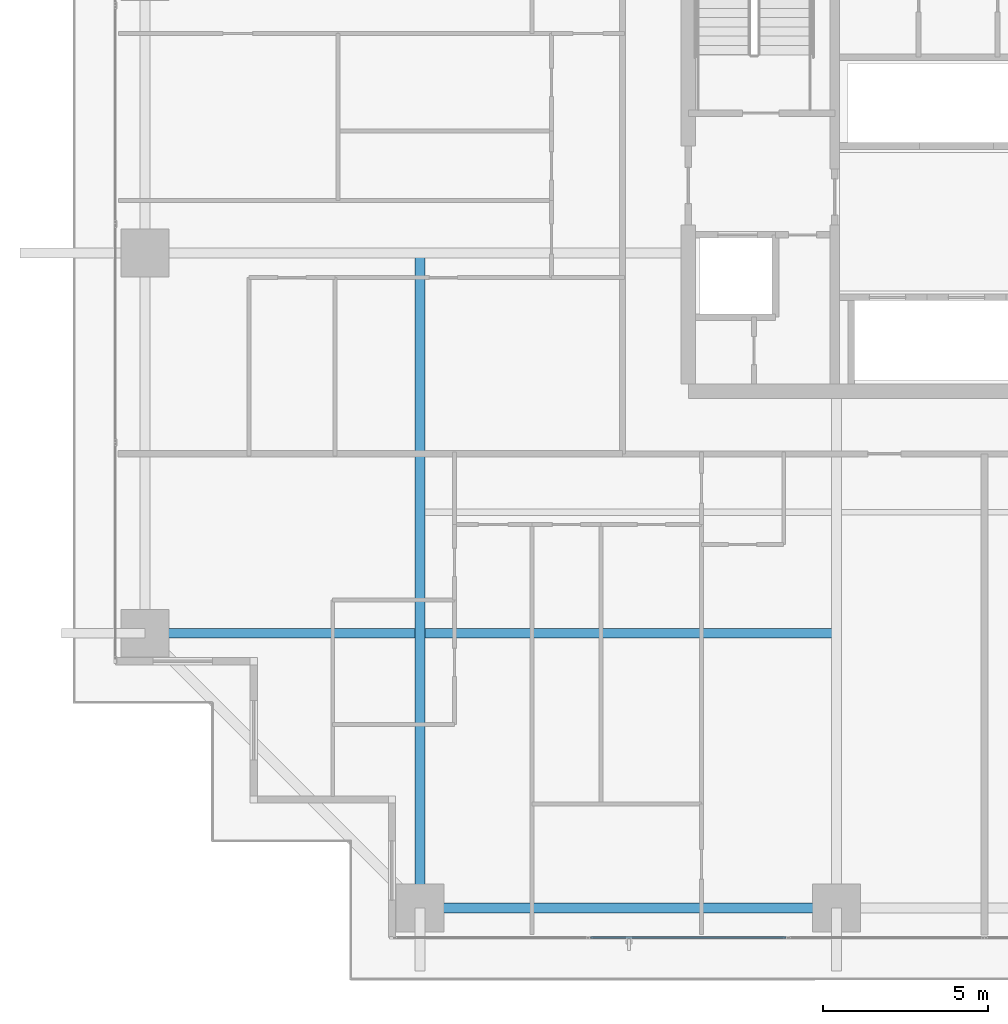
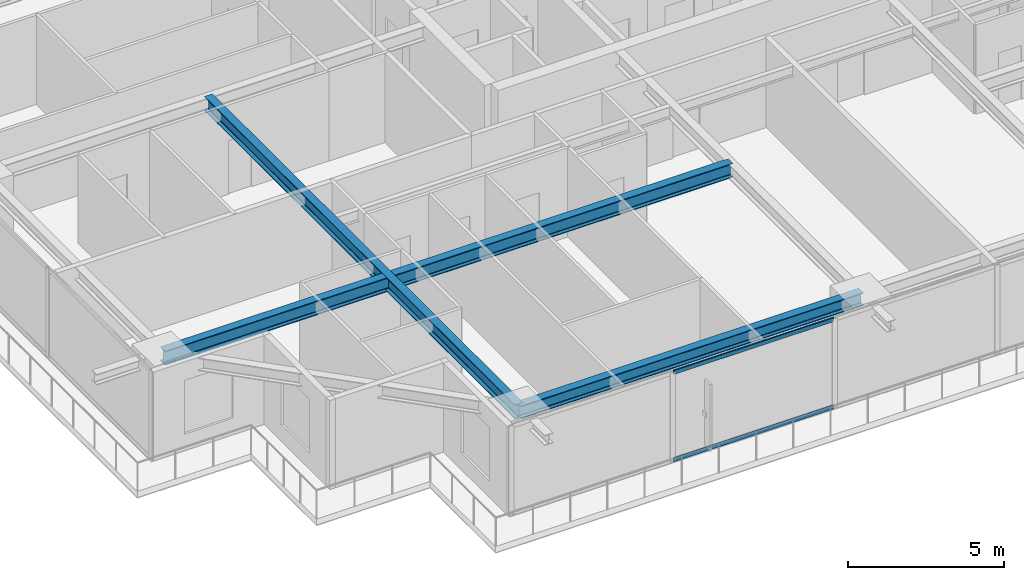
# One storey, part 4 of 39: 3 beams, 2 members, 1 element without a shape of its own.
"""IFC4 building model written with IfcOpenShell, lengths in metres."""

from ifc_helpers import new_model, si_unit, direction, frame, origin, origin_2d, place, context, subcontext, project, spatial, hollow_rectangle, i_section, extrude, source, transform, mapped, material, layer, layer_set, material_profile, profile_set, type_object, element, aggregate, save


model = new_model("IFC4")

# Units and contexts
model_context = context("Model", 3, precision=1e-05, world=origin(), true_north=direction((0.0, 1.0)))
body_context = subcontext(model_context, "Body", "Model", "MODEL_VIEW")
ifc_project = project(units=[si_unit("LENGTHUNIT", "METRE"), si_unit("AREAUNIT", "SQUARE_METRE"), si_unit("VOLUMEUNIT", "CUBIC_METRE"), si_unit("PLANEANGLEUNIT", "RADIAN"), si_unit("MASSUNIT", "GRAM", prefix="KILO")], contexts=[model_context])

# Site, building, storey
site_placement = place(None, origin())
site = spatial("IfcSite", under=ifc_project, at=site_placement, CompositionType="ELEMENT")
building_placement = place(site_placement, origin())
building = spatial("IfcBuilding", under=site, at=building_placement, Name="Serunith Strait Residences", CompositionType="ELEMENT")
storey_placement = place(building_placement, frame((0.0, 0.0, 97.949951171875)))
storey = spatial("IfcBuildingStorey", under=building, at=storey_placement, Name="L24", CompositionType="ELEMENT", Elevation=97.949951171875)

# Beams
ifc_material_1 = material(Name="Steel S355J2", Category="steel")
ifc_material_profile_1 = material_profile(ifc_material_1, i_section(OverallWidth=0.300048828125, OverallDepth=0.550048828125, WebThickness=0.014892578125, FlangeThickness=0.029052734375, FilletRadius=0.027099609375, at=origin_2d()), Name="HEB 550")
ifc_profile_set_1 = profile_set([ifc_material_profile_1], Name="Steel S355J2")
beam_type_1 = type_object("IfcBeamType", Name="BM-HEB550", PredefinedType="BEAM", material=ifc_profile_set_1)
shared_shape_1 = source(origin(), body_context, "Body", "SweptSolid", [
    extrude(i_section(OverallWidth=0.300048828125, OverallDepth=0.550048828125, WebThickness=0.014892578125, FlangeThickness=0.029052734375, FilletRadius=0.027099609375, at=origin_2d()), origin(), (0.0, 0.0, 1.0), 19.89990234375),
])
beam_1_placement = place(storey_placement, frame((15.25, 21.0, 3.212158203125), z_axis=(0.0, -1.0, 0.0), x_axis=(1.0, 0.0, 0.0)))
element("IfcBeam", 1, at=beam_1_placement, inside=storey, type_object=beam_type_1, Name="L24 Orthogonal Corner Girder TC-S1", PredefinedType="BEAM", context=body_context, shape_type="MappedRepresentation", body=[
    mapped(shared_shape_1, transform((0.0, 0.0, 0.0), scale=1.0)),
])
shared_shape_2 = source(origin(), body_context, "Body", "SweptSolid", [
    extrude(i_section(OverallWidth=0.300048828125, OverallDepth=0.550048828125, WebThickness=0.014892578125, FlangeThickness=0.029052734375, FilletRadius=0.027099609375, at=origin_2d()), origin(), (0.0, 0.0, 1.0), 21.0),
])
beam_2_placement = place(storey_placement, frame((27.89990234375, 9.449951171875, 3.212158203125), z_axis=(-1.0, 0.0, 0.0), x_axis=(0.0, -1.0, 0.0)))
element("IfcBeam", 2, at=beam_2_placement, inside=storey, type_object=beam_type_1, Name="L24 Orthogonal Corner Girder TC-W1", PredefinedType="BEAM", context=body_context, shape_type="MappedRepresentation", body=[
    mapped(shared_shape_2, transform((0.0, 0.0, 0.0), scale=1.0)),
])
ifc_material_profile_2 = material_profile(ifc_material_1, i_section(OverallWidth=0.300048828125, OverallDepth=0.5, WebThickness=0.014404296875, FlangeThickness=0.028076171875, FilletRadius=0.027099609375, at=origin_2d()), Name="HEB 500")
ifc_profile_set_2 = profile_set([ifc_material_profile_2], Name="Steel S355J2")
beam_type_2 = type_object("IfcBeamType", Name="BM-HEB500", PredefinedType="BEAM", material=ifc_profile_set_2)
shared_shape_3 = source(origin(), body_context, "Body", "SweptSolid", [
    extrude(i_section(OverallWidth=0.300048828125, OverallDepth=0.5, WebThickness=0.014404296875, FlangeThickness=0.028076171875, FilletRadius=0.027099609375, at=origin_2d()), origin(), (0.0, 0.0, 1.0), 12.64990234375),
])
beam_3_placement = place(storey_placement, frame((15.25, 1.10009765625, 3.237060546875), z_axis=(1.0, 0.0, 0.0), x_axis=(0.0, 1.0, 0.0)))
element("IfcBeam", 3, at=beam_3_placement, inside=storey, type_object=beam_type_2, Name="L24 Perimeter Ring Beam 01", PredefinedType="BEAM", context=body_context, shape_type="MappedRepresentation", body=[
    mapped(shared_shape_3, transform((0.0, 0.0, 0.0), scale=1.0)),
])

# Curtain wall, members
ifc_material_2 = material(Name="Pale-Champagne Anodised Aluminium", Category="aluminium")
ifc_layer = layer(ifc_material_2, 0.199951171875, Name="Pale-Champagne Anodised Aluminium")
ifc_layer_set = layer_set([ifc_layer], Name="Pale-Champagne Anodised Aluminium")
curtain_wall_type = type_object("IfcCurtainWallType", Name="CW-SYS1", PredefinedType="NOTDEFINED", material=ifc_layer_set)
curtain_wall_placement = place(storey_placement, origin())
curtain_wall = element("IfcCurtainWall", 4, at=curtain_wall_placement, inside=storey, type_object=curtain_wall_type, Name="L24 S Unitised Fritted Curtain Wall", PredefinedType="NOTDEFINED")
ifc_material_profile_3 = material_profile(ifc_material_2, hollow_rectangle(XDim=0.06005859375, YDim=0.159912109375, WallThickness=0.00341796875, InnerFilletRadius=0.00537109375, OuterFilletRadius=0.0087890625, at=origin_2d()), Name="ALU 160x60x3.5")
ifc_profile_set_3 = profile_set([ifc_material_profile_3], Name="Pale-Champagne Anodised Aluminium")
member_type = type_object("IfcMemberType", Name="CW-SYS1-TRAN", PredefinedType="USERDEFINED", material=ifc_profile_set_3)
shared_shape_4 = source(origin(), body_context, "Body", "SweptSolid", [
    extrude(hollow_rectangle(XDim=0.06005859375, YDim=0.159912109375, WallThickness=0.00341796875, InnerFilletRadius=0.00537109375, OuterFilletRadius=0.0087890625, at=origin_2d()), origin(), (0.0, 0.0, 1.0), 5.929931640625),
])
member_1_placement = place(storey_placement, frame((20.43505859375, 0.199951171875, 0.030029296875), z_axis=(1.0, 0.0, 0.0), x_axis=(0.0, 1.0, 0.0)))
member_1 = element("IfcMember", 5, at=member_1_placement, type_object=member_type, Name="CW-1 transom 2.1", ObjectType="TRANSOM", PredefinedType="USERDEFINED", context=body_context, shape_type="MappedRepresentation", body=[
    mapped(shared_shape_4, transform((0.0, 0.0, 0.0), scale=1.0)),
])
member_2_placement = place(storey_placement, frame((20.43505859375, 0.199951171875, 3.445068359375), z_axis=(1.0, 0.0, 0.0), x_axis=(0.0, 1.0, 0.0)))
member_2 = element("IfcMember", 6, at=member_2_placement, type_object=member_type, Name="CW-1 transom 2.2", ObjectType="TRANSOM", PredefinedType="USERDEFINED", context=body_context, shape_type="MappedRepresentation", body=[
    mapped(shared_shape_4, transform((0.0, 0.0, 0.0), scale=1.0)),
])
aggregate(curtain_wall, [member_1, member_2])

save(model, "model.ifc")
